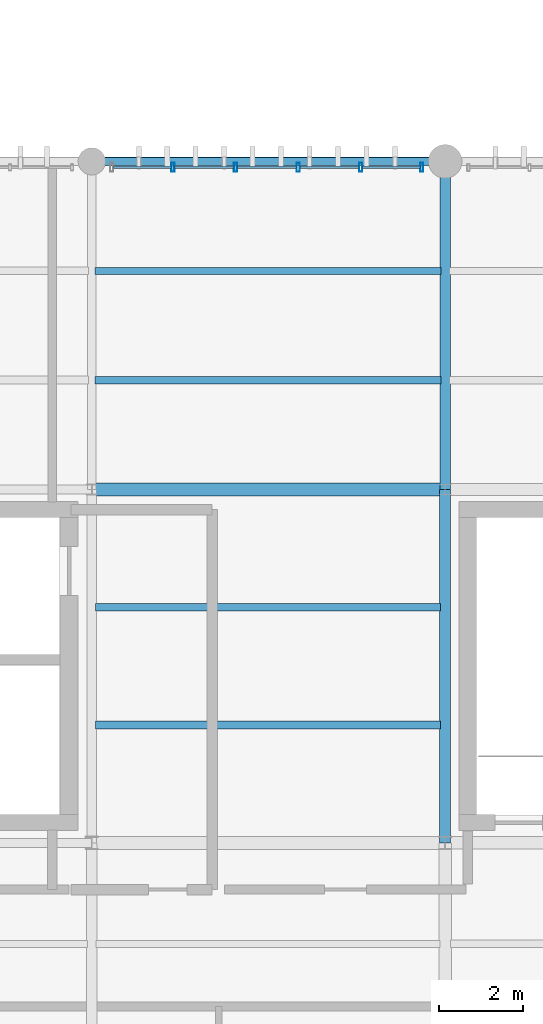
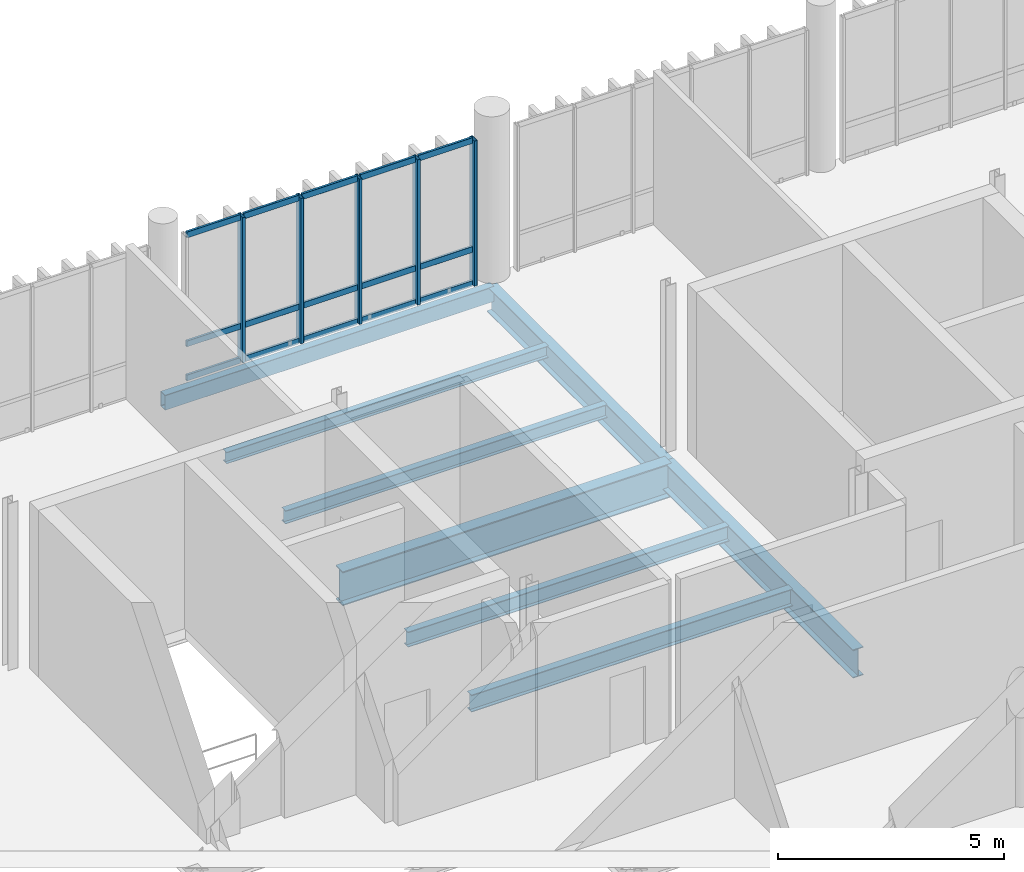
# One storey, part 13 of 66: 20 members, 8 beams, 1 element without a shape of its own.
"""IFC4 building model written with IfcOpenShell, lengths in metres."""

from ifc_helpers import new_model, si_unit, direction, frame, origin_with_axes, origin_2d_with_axis, place, context, subcontext, project, spatial, hollow_rectangle, i_section, extrude, material, material_profile, profile_set, type_object, element, aggregate, save


model = new_model("IFC4")

# Units and contexts
model_context = context("Model", 3, precision=1e-05, world=origin_with_axes(), true_north=direction((0.0, 1.0)))
body_context = subcontext(model_context, "Body", "Model", "MODEL_VIEW")
ifc_project = project(units=[si_unit("LENGTHUNIT", "METRE"), si_unit("AREAUNIT", "SQUARE_METRE"), si_unit("VOLUMEUNIT", "CUBIC_METRE"), si_unit("PLANEANGLEUNIT", "RADIAN"), si_unit("MASSUNIT", "GRAM", prefix="KILO"), si_unit("THERMODYNAMICTEMPERATUREUNIT", "KELVIN")], contexts=[model_context])

# Site, building, storey
site_placement = place(None, origin_with_axes())
site = spatial("IfcSite", under=ifc_project, at=site_placement, CompositionType="ELEMENT")
building_placement = place(site_placement, origin_with_axes())
building = spatial("IfcBuilding", under=site, at=building_placement, Name="Montbau Bow Law Courts", CompositionType="ELEMENT")
storey_placement = place(building_placement, frame((0.0, 0.0, 34.5), z_axis=(0.0, 0.0, 1.0), x_axis=(1.0, 0.0, 0.0)))
storey = spatial("IfcBuildingStorey", under=building, at=storey_placement, Name="L07", CompositionType="ELEMENT", Elevation=34.5)

# Beams
ifc_material_1 = material(Name="Steel CSA G40.21 Grade 350W (350 MPa)", Category="steel")
ifc_material_profile_1 = material_profile(ifc_material_1, i_section(OverallWidth=0.306, OverallDepth=0.919, WebThickness=0.0173, FlangeThickness=0.0279, at=origin_2d_with_axis()), Name="W920X253", Category="Main", Priority=0)
ifc_profile_set_1 = profile_set([ifc_material_profile_1], Name="Steel CSA G40.21 Grade 350W (350 MPa)")
beam_type_1 = type_object("IfcBeamType", Name="B-FLR-01", PredefinedType="BEAM", material=ifc_profile_set_1)
beam_1_placement = place(None, frame((22.2, 54.6, 33.741), z_axis=(1.0, 0.0, 0.0), x_axis=(0.0, 1.0, 0.0)))
element("IfcBeam", 1, at=beam_1_placement, inside=storey, type_object=beam_type_1, Name="BM-L07-S0730:bm2_0733", PredefinedType="BEAM", context=body_context, shape_type="SweptSolid", body=[
    extrude(i_section(OverallWidth=0.306, OverallDepth=0.919, WebThickness=0.0173, FlangeThickness=0.0279, at=origin_2d_with_axis()), origin_with_axes(), (0.0, 0.0, 1.0), 8.4),
])
ifc_material_profile_2 = material_profile(ifc_material_1, i_section(OverallWidth=0.267, OverallDepth=0.766, WebThickness=0.0149, FlangeThickness=0.0236, at=origin_2d_with_axis()), Name="W760X185", Category="Main", Priority=0)
ifc_profile_set_2 = profile_set([ifc_material_profile_2], Name="Steel CSA G40.21 Grade 350W (350 MPa)")
beam_type_2 = type_object("IfcBeamType", Name="B-FLR-03", PredefinedType="BEAM", material=ifc_profile_set_2)
beam_2_placement = place(None, frame((30.6, 46.2, 33.817), z_axis=(0.0, 1.0, 0.0), x_axis=(-1.0, 0.0, 0.0)))
element("IfcBeam", 2, at=beam_2_placement, inside=storey, type_object=beam_type_2, Name="BM-L07-S0750:bm2_0753", PredefinedType="BEAM", context=body_context, shape_type="SweptSolid", body=[
    extrude(i_section(OverallWidth=0.267, OverallDepth=0.766, WebThickness=0.0149, FlangeThickness=0.0236, at=origin_2d_with_axis()), origin_with_axes(), (0.0, 0.0, 1.0), 8.4),
])
ifc_material_profile_3 = material_profile(ifc_material_1, i_section(OverallWidth=0.254, OverallDepth=0.688, WebThickness=0.0131, FlangeThickness=0.0211, at=origin_2d_with_axis()), Name="W690X152", Category="Main", Priority=0)
ifc_profile_set_3 = profile_set([ifc_material_profile_3], Name="Steel CSA G40.21 Grade 350W (350 MPa)")
beam_type_3 = type_object("IfcBeamType", Name="B-FLR-04", PredefinedType="BEAM", material=ifc_profile_set_3)
beam_3_placement = place(None, frame((30.6, 54.6, 33.856), z_axis=(0.0, 1.0, 0.0), x_axis=(-1.0, 0.0, 0.0)))
element("IfcBeam", 3, at=beam_3_placement, inside=storey, type_object=beam_type_3, Name="BM-L07-S0751:bm2_0754", PredefinedType="BEAM", context=body_context, shape_type="SweptSolid", body=[
    extrude(i_section(OverallWidth=0.254, OverallDepth=0.688, WebThickness=0.0131, FlangeThickness=0.0211, at=origin_2d_with_axis()), origin_with_axes(), (0.0, 0.0, 1.0), 7.8),
])
ifc_material_profile_4 = material_profile(ifc_material_1, i_section(OverallWidth=0.191, OverallDepth=0.46, WebThickness=0.0099, FlangeThickness=0.016, at=origin_2d_with_axis()), Name="W460X82", Category="Main", Priority=0)
ifc_profile_set_4 = profile_set([ifc_material_profile_4], Name="Steel CSA G40.21 Grade 350W (350 MPa)")
beam_type_4 = type_object("IfcBeamType", Name="B-JST-01", PredefinedType="JOIST", material=ifc_profile_set_4)
beam_4_placement = place(None, frame((22.29, 49.0, 33.97), z_axis=(1.0, 0.0, 0.0), x_axis=(0.0, 1.0, 0.0)))
element("IfcBeam", 4, at=beam_4_placement, inside=storey, type_object=beam_type_4, Name="JST-L07-S0372:jst2_0372", PredefinedType="JOIST", context=body_context, shape_type="SweptSolid", body=[
    extrude(i_section(OverallWidth=0.191, OverallDepth=0.46, WebThickness=0.0099, FlangeThickness=0.016, at=origin_2d_with_axis()), origin_with_axes(), (0.0, 0.0, 1.0), 8.201),
])
ifc_material_profile_5 = material_profile(ifc_material_1, i_section(OverallWidth=0.179, OverallDepth=0.41, WebThickness=0.0088, FlangeThickness=0.0144, at=origin_2d_with_axis()), Name="W410X67", Category="Main", Priority=0)
ifc_profile_set_5 = profile_set([ifc_material_profile_5], Name="Steel CSA G40.21 Grade 350W (350 MPa)")
beam_type_5 = type_object("IfcBeamType", Name="B-JST-02", PredefinedType="JOIST", material=ifc_profile_set_5)
beam_5_placement = place(None, frame((22.29, 51.8, 33.995), z_axis=(1.0, 0.0, 0.0), x_axis=(0.0, 1.0, 0.0)))
element("IfcBeam", 5, at=beam_5_placement, inside=storey, type_object=beam_type_5, Name="JST-L07-S0373:jst2_0373", PredefinedType="JOIST", context=body_context, shape_type="SweptSolid", body=[
    extrude(i_section(OverallWidth=0.179, OverallDepth=0.41, WebThickness=0.0088, FlangeThickness=0.0144, at=origin_2d_with_axis()), origin_with_axes(), (0.0, 0.0, 1.0), 8.201),
])
ifc_material_profile_6 = material_profile(ifc_material_1, i_section(OverallWidth=0.172, OverallDepth=0.358, WebThickness=0.0079, FlangeThickness=0.0131, at=origin_2d_with_axis()), Name="W360X57", Category="Main", Priority=0)
ifc_profile_set_6 = profile_set([ifc_material_profile_6], Name="Steel CSA G40.21 Grade 350W (350 MPa)")
beam_type_6 = type_object("IfcBeamType", Name="B-JST-03", PredefinedType="JOIST", material=ifc_profile_set_6)
beam_6_placement = place(None, frame((22.281, 57.2, 34.021), z_axis=(1.0, 0.0, 0.0), x_axis=(0.0, 1.0, 0.0)))
element("IfcBeam", 6, at=beam_6_placement, inside=storey, type_object=beam_type_6, Name="JST-L07-S0374:jst2_0374", PredefinedType="JOIST", context=body_context, shape_type="SweptSolid", body=[
    extrude(i_section(OverallWidth=0.172, OverallDepth=0.358, WebThickness=0.0079, FlangeThickness=0.0131, at=origin_2d_with_axis()), origin_with_axes(), (0.0, 0.0, 1.0), 8.216),
])
ifc_material_profile_7 = material_profile(ifc_material_1, i_section(OverallWidth=0.166, OverallDepth=0.313, WebThickness=0.0066, FlangeThickness=0.0112, at=origin_2d_with_axis()), Name="W310X45", Category="Main", Priority=0)
ifc_profile_set_7 = profile_set([ifc_material_profile_7], Name="Steel CSA G40.21 Grade 350W (350 MPa)")
beam_type_7 = type_object("IfcBeamType", Name="B-JST-04", PredefinedType="JOIST", material=ifc_profile_set_7)
beam_7_placement = place(None, frame((22.281, 59.8, 34.044), z_axis=(1.0, 0.0, 0.0), x_axis=(0.0, 1.0, 0.0)))
element("IfcBeam", 7, at=beam_7_placement, inside=storey, type_object=beam_type_7, Name="JST-L07-S0375:jst2_0375", PredefinedType="JOIST", context=body_context, shape_type="SweptSolid", body=[
    extrude(i_section(OverallWidth=0.166, OverallDepth=0.313, WebThickness=0.0066, FlangeThickness=0.0112, at=origin_2d_with_axis()), origin_with_axes(), (0.0, 0.0, 1.0), 8.216),
])
ifc_material_2 = material(Name="Steel CSA G40.21 Grade 350WT (350 MPa)", Category="steel")
ifc_material_profile_8 = material_profile(ifc_material_2, hollow_rectangle(XDim=0.203, YDim=0.406, WallThickness=0.0127, InnerFilletRadius=0.0254, OuterFilletRadius=0.0127, at=origin_2d_with_axis()), Name="HSS406X203X13", Category="Main", Priority=0)
ifc_profile_set_8 = profile_set([ifc_material_profile_8], Name="Steel CSA G40.21 Grade 350WT (350 MPa)")
beam_type_8 = type_object("IfcBeamType", Name="B-SPN-01", PredefinedType="SPANDREL", material=ifc_profile_set_8)
beam_8_placement = place(None, frame((22.2, 62.4, 33.997), z_axis=(1.0, 0.0, 0.0), x_axis=(0.0, 1.0, 0.0)))
element("IfcBeam", 8, at=beam_8_placement, inside=storey, type_object=beam_type_8, Name="SPN-L07-S0735:bm2_0738", PredefinedType="SPANDREL", context=body_context, shape_type="SweptSolid", body=[
    extrude(hollow_rectangle(XDim=0.203, YDim=0.406, WallThickness=0.0127, InnerFilletRadius=0.0254, OuterFilletRadius=0.0127, at=origin_2d_with_axis()), origin_with_axes(), (0.0, 0.0, 1.0), 8.4),
])

# Curtain wall, members
ifc_material_3 = material(Name="Thermally Broken Extruded Aluminium AA 6063-T6", Category="aluminium")
curtain_wall_type = type_object("IfcCurtainWallType", Name="CW-TRC-02", PredefinedType="NOTDEFINED", material=ifc_material_3)
curtain_wall_placement = place(None, frame((22.64, 62.26, 34.5), z_axis=(0.0, 0.0, 1.0), x_axis=(1.0, 0.0, 0.0)))
curtain_wall = element("IfcCurtainWall", 9, at=curtain_wall_placement, inside=storey, type_object=curtain_wall_type, Name="CW-L07-114:cw_0114", PredefinedType="NOTDEFINED")
ifc_material_profile_9 = material_profile(ifc_material_3, hollow_rectangle(XDim=0.075, YDim=0.22, WallThickness=0.005, InnerFilletRadius=0.01, OuterFilletRadius=0.005, at=origin_2d_with_axis()), Name="CWM-220X75", Category="Main", Priority=0)
ifc_profile_set_9 = profile_set([ifc_material_profile_9], Name="Thermally Broken Extruded Aluminium AA 6063-T6")
member_type_1 = type_object("IfcMemberType", Name="M-MUL-01", PredefinedType="MULLION", material=ifc_profile_set_9)
member_1_placement = place(None, frame((24.129, 62.26, 34.5), z_axis=(0.0, 0.0, 1.0), x_axis=(1.0, 0.0, 0.0)))
member_1 = element("IfcMember", 10, at=member_1_placement, type_object=member_type_1, Name="CW-L07-114-M02:cw_0114_M02", PredefinedType="MULLION", context=body_context, shape_type="SweptSolid", body=[
    extrude(hollow_rectangle(XDim=0.075, YDim=0.22, WallThickness=0.005, InnerFilletRadius=0.01, OuterFilletRadius=0.005, at=origin_2d_with_axis()), origin_with_axes(), (0.0, 0.0, 1.0), 3.92),
])
member_2_placement = place(None, frame((25.618, 62.26, 34.5), z_axis=(0.0, 0.0, 1.0), x_axis=(1.0, 0.0, 0.0)))
member_2 = element("IfcMember", 11, at=member_2_placement, type_object=member_type_1, Name="CW-L07-114-M03:cw_0114_M03", PredefinedType="MULLION", context=body_context, shape_type="SweptSolid", body=[
    extrude(hollow_rectangle(XDim=0.075, YDim=0.22, WallThickness=0.005, InnerFilletRadius=0.01, OuterFilletRadius=0.005, at=origin_2d_with_axis()), origin_with_axes(), (0.0, 0.0, 1.0), 3.92),
])
member_3_placement = place(None, frame((27.107, 62.26, 34.5), z_axis=(0.0, 0.0, 1.0), x_axis=(1.0, 0.0, 0.0)))
member_3 = element("IfcMember", 12, at=member_3_placement, type_object=member_type_1, Name="CW-L07-114-M04:cw_0114_M04", PredefinedType="MULLION", context=body_context, shape_type="SweptSolid", body=[
    extrude(hollow_rectangle(XDim=0.075, YDim=0.22, WallThickness=0.005, InnerFilletRadius=0.01, OuterFilletRadius=0.005, at=origin_2d_with_axis()), origin_with_axes(), (0.0, 0.0, 1.0), 3.92),
])
member_4_placement = place(None, frame((28.596, 62.26, 34.5), z_axis=(0.0, 0.0, 1.0), x_axis=(1.0, 0.0, 0.0)))
member_4 = element("IfcMember", 13, at=member_4_placement, type_object=member_type_1, Name="CW-L07-114-M05:cw_0114_M05", PredefinedType="MULLION", context=body_context, shape_type="SweptSolid", body=[
    extrude(hollow_rectangle(XDim=0.075, YDim=0.22, WallThickness=0.005, InnerFilletRadius=0.01, OuterFilletRadius=0.005, at=origin_2d_with_axis()), origin_with_axes(), (0.0, 0.0, 1.0), 3.92),
])
member_5_placement = place(None, frame((30.048, 62.26, 34.5), z_axis=(0.0, 0.0, 1.0), x_axis=(1.0, 0.0, 0.0)))
member_5 = element("IfcMember", 14, at=member_5_placement, type_object=member_type_1, Name="CW-L07-114-M06:cw_0114_M06", PredefinedType="MULLION", context=body_context, shape_type="SweptSolid", body=[
    extrude(hollow_rectangle(XDim=0.075, YDim=0.22, WallThickness=0.005, InnerFilletRadius=0.01, OuterFilletRadius=0.005, at=origin_2d_with_axis()), origin_with_axes(), (0.0, 0.0, 1.0), 3.92),
])
ifc_material_profile_10 = material_profile(ifc_material_3, hollow_rectangle(XDim=0.06, YDim=0.16, WallThickness=0.004, InnerFilletRadius=0.008, OuterFilletRadius=0.004, at=origin_2d_with_axis()), Name="CWT-160X60", Category="Main", Priority=0)
ifc_profile_set_10 = profile_set([ifc_material_profile_10], Name="Thermally Broken Extruded Aluminium AA 6063-T6")
member_type_2 = type_object("IfcMemberType", Name="M-TRN-01", PredefinedType="USERDEFINED", material=ifc_profile_set_10)
member_6_placement = place(None, frame((22.716, 62.26, 34.53), z_axis=(1.0, 0.0, 0.0), x_axis=(0.0, 1.0, 0.0)))
member_6 = element("IfcMember", 15, at=member_6_placement, type_object=member_type_2, Name="CW-L07-114-T01-1:cw_0114_T01_1", ObjectType="TRANSOM", PredefinedType="USERDEFINED", context=body_context, shape_type="SweptSolid", body=[
    extrude(hollow_rectangle(XDim=0.06, YDim=0.16, WallThickness=0.004, InnerFilletRadius=0.008, OuterFilletRadius=0.004, at=origin_2d_with_axis()), origin_with_axes(), (0.0, 0.0, 1.0), 1.374),
])
member_7_placement = place(None, frame((22.716, 62.26, 35.45), z_axis=(1.0, 0.0, 0.0), x_axis=(0.0, 1.0, 0.0)))
member_7 = element("IfcMember", 16, at=member_7_placement, type_object=member_type_2, Name="CW-L07-114-T01-2:cw_0114_T01_2", ObjectType="TRANSOM", PredefinedType="USERDEFINED", context=body_context, shape_type="SweptSolid", body=[
    extrude(hollow_rectangle(XDim=0.06, YDim=0.16, WallThickness=0.004, InnerFilletRadius=0.008, OuterFilletRadius=0.004, at=origin_2d_with_axis()), origin_with_axes(), (0.0, 0.0, 1.0), 1.374),
])
member_8_placement = place(None, frame((22.716, 62.26, 38.39), z_axis=(1.0, 0.0, 0.0), x_axis=(0.0, 1.0, 0.0)))
member_8 = element("IfcMember", 17, at=member_8_placement, type_object=member_type_2, Name="CW-L07-114-T01-3:cw_0114_T01_3", ObjectType="TRANSOM", PredefinedType="USERDEFINED", context=body_context, shape_type="SweptSolid", body=[
    extrude(hollow_rectangle(XDim=0.06, YDim=0.16, WallThickness=0.004, InnerFilletRadius=0.008, OuterFilletRadius=0.004, at=origin_2d_with_axis()), origin_with_axes(), (0.0, 0.0, 1.0), 1.374),
])
member_9_placement = place(None, frame((24.169, 62.26, 34.53), z_axis=(1.0, 0.0, 0.0), x_axis=(0.0, 1.0, 0.0)))
member_9 = element("IfcMember", 18, at=member_9_placement, type_object=member_type_2, Name="CW-L07-114-T02-1:cw_0114_T02_1", ObjectType="TRANSOM", PredefinedType="USERDEFINED", context=body_context, shape_type="SweptSolid", body=[
    extrude(hollow_rectangle(XDim=0.06, YDim=0.16, WallThickness=0.004, InnerFilletRadius=0.008, OuterFilletRadius=0.004, at=origin_2d_with_axis()), origin_with_axes(), (0.0, 0.0, 1.0), 1.41),
])
member_10_placement = place(None, frame((24.169, 62.26, 35.45), z_axis=(1.0, 0.0, 0.0), x_axis=(0.0, 1.0, 0.0)))
member_10 = element("IfcMember", 19, at=member_10_placement, type_object=member_type_2, Name="CW-L07-114-T02-2:cw_0114_T02_2", ObjectType="TRANSOM", PredefinedType="USERDEFINED", context=body_context, shape_type="SweptSolid", body=[
    extrude(hollow_rectangle(XDim=0.06, YDim=0.16, WallThickness=0.004, InnerFilletRadius=0.008, OuterFilletRadius=0.004, at=origin_2d_with_axis()), origin_with_axes(), (0.0, 0.0, 1.0), 1.41),
])
member_11_placement = place(None, frame((24.169, 62.26, 38.39), z_axis=(1.0, 0.0, 0.0), x_axis=(0.0, 1.0, 0.0)))
member_11 = element("IfcMember", 20, at=member_11_placement, type_object=member_type_2, Name="CW-L07-114-T02-3:cw_0114_T02_3", ObjectType="TRANSOM", PredefinedType="USERDEFINED", context=body_context, shape_type="SweptSolid", body=[
    extrude(hollow_rectangle(XDim=0.06, YDim=0.16, WallThickness=0.004, InnerFilletRadius=0.008, OuterFilletRadius=0.004, at=origin_2d_with_axis()), origin_with_axes(), (0.0, 0.0, 1.0), 1.41),
])
member_12_placement = place(None, frame((25.658, 62.26, 34.53), z_axis=(1.0, 0.0, 0.0), x_axis=(0.0, 1.0, 0.0)))
member_12 = element("IfcMember", 21, at=member_12_placement, type_object=member_type_2, Name="CW-L07-114-T03-1:cw_0114_T03_1", ObjectType="TRANSOM", PredefinedType="USERDEFINED", context=body_context, shape_type="SweptSolid", body=[
    extrude(hollow_rectangle(XDim=0.06, YDim=0.16, WallThickness=0.004, InnerFilletRadius=0.008, OuterFilletRadius=0.004, at=origin_2d_with_axis()), origin_with_axes(), (0.0, 0.0, 1.0), 1.41),
])
member_13_placement = place(None, frame((25.658, 62.26, 35.45), z_axis=(1.0, 0.0, 0.0), x_axis=(0.0, 1.0, 0.0)))
member_13 = element("IfcMember", 22, at=member_13_placement, type_object=member_type_2, Name="CW-L07-114-T03-2:cw_0114_T03_2", ObjectType="TRANSOM", PredefinedType="USERDEFINED", context=body_context, shape_type="SweptSolid", body=[
    extrude(hollow_rectangle(XDim=0.06, YDim=0.16, WallThickness=0.004, InnerFilletRadius=0.008, OuterFilletRadius=0.004, at=origin_2d_with_axis()), origin_with_axes(), (0.0, 0.0, 1.0), 1.41),
])
member_14_placement = place(None, frame((25.658, 62.26, 38.39), z_axis=(1.0, 0.0, 0.0), x_axis=(0.0, 1.0, 0.0)))
member_14 = element("IfcMember", 23, at=member_14_placement, type_object=member_type_2, Name="CW-L07-114-T03-3:cw_0114_T03_3", ObjectType="TRANSOM", PredefinedType="USERDEFINED", context=body_context, shape_type="SweptSolid", body=[
    extrude(hollow_rectangle(XDim=0.06, YDim=0.16, WallThickness=0.004, InnerFilletRadius=0.008, OuterFilletRadius=0.004, at=origin_2d_with_axis()), origin_with_axes(), (0.0, 0.0, 1.0), 1.41),
])
member_15_placement = place(None, frame((27.146, 62.26, 34.53), z_axis=(1.0, 0.0, 0.0), x_axis=(0.0, 1.0, 0.0)))
member_15 = element("IfcMember", 24, at=member_15_placement, type_object=member_type_2, Name="CW-L07-114-T04-1:cw_0114_T04_1", ObjectType="TRANSOM", PredefinedType="USERDEFINED", context=body_context, shape_type="SweptSolid", body=[
    extrude(hollow_rectangle(XDim=0.06, YDim=0.16, WallThickness=0.004, InnerFilletRadius=0.008, OuterFilletRadius=0.004, at=origin_2d_with_axis()), origin_with_axes(), (0.0, 0.0, 1.0), 1.411),
])
member_16_placement = place(None, frame((27.146, 62.26, 35.45), z_axis=(1.0, 0.0, 0.0), x_axis=(0.0, 1.0, 0.0)))
member_16 = element("IfcMember", 25, at=member_16_placement, type_object=member_type_2, Name="CW-L07-114-T04-2:cw_0114_T04_2", ObjectType="TRANSOM", PredefinedType="USERDEFINED", context=body_context, shape_type="SweptSolid", body=[
    extrude(hollow_rectangle(XDim=0.06, YDim=0.16, WallThickness=0.004, InnerFilletRadius=0.008, OuterFilletRadius=0.004, at=origin_2d_with_axis()), origin_with_axes(), (0.0, 0.0, 1.0), 1.411),
])
member_17_placement = place(None, frame((27.146, 62.26, 38.39), z_axis=(1.0, 0.0, 0.0), x_axis=(0.0, 1.0, 0.0)))
member_17 = element("IfcMember", 26, at=member_17_placement, type_object=member_type_2, Name="CW-L07-114-T04-3:cw_0114_T04_3", ObjectType="TRANSOM", PredefinedType="USERDEFINED", context=body_context, shape_type="SweptSolid", body=[
    extrude(hollow_rectangle(XDim=0.06, YDim=0.16, WallThickness=0.004, InnerFilletRadius=0.008, OuterFilletRadius=0.004, at=origin_2d_with_axis()), origin_with_axes(), (0.0, 0.0, 1.0), 1.411),
])
member_18_placement = place(None, frame((28.635, 62.26, 34.53), z_axis=(1.0, 0.0, 0.0), x_axis=(0.0, 1.0, 0.0)))
member_18 = element("IfcMember", 27, at=member_18_placement, type_object=member_type_2, Name="CW-L07-114-T05-1:cw_0114_T05_1", ObjectType="TRANSOM", PredefinedType="USERDEFINED", context=body_context, shape_type="SweptSolid", body=[
    extrude(hollow_rectangle(XDim=0.06, YDim=0.16, WallThickness=0.004, InnerFilletRadius=0.008, OuterFilletRadius=0.004, at=origin_2d_with_axis()), origin_with_axes(), (0.0, 0.0, 1.0), 1.374),
])
member_19_placement = place(None, frame((28.635, 62.26, 35.45), z_axis=(1.0, 0.0, 0.0), x_axis=(0.0, 1.0, 0.0)))
member_19 = element("IfcMember", 28, at=member_19_placement, type_object=member_type_2, Name="CW-L07-114-T05-2:cw_0114_T05_2", ObjectType="TRANSOM", PredefinedType="USERDEFINED", context=body_context, shape_type="SweptSolid", body=[
    extrude(hollow_rectangle(XDim=0.06, YDim=0.16, WallThickness=0.004, InnerFilletRadius=0.008, OuterFilletRadius=0.004, at=origin_2d_with_axis()), origin_with_axes(), (0.0, 0.0, 1.0), 1.374),
])
member_20_placement = place(None, frame((28.635, 62.26, 38.39), z_axis=(1.0, 0.0, 0.0), x_axis=(0.0, 1.0, 0.0)))
member_20 = element("IfcMember", 29, at=member_20_placement, type_object=member_type_2, Name="CW-L07-114-T05-3:cw_0114_T05_3", ObjectType="TRANSOM", PredefinedType="USERDEFINED", context=body_context, shape_type="SweptSolid", body=[
    extrude(hollow_rectangle(XDim=0.06, YDim=0.16, WallThickness=0.004, InnerFilletRadius=0.008, OuterFilletRadius=0.004, at=origin_2d_with_axis()), origin_with_axes(), (0.0, 0.0, 1.0), 1.374),
])
aggregate(curtain_wall, [member_1, member_2, member_3, member_4, member_5, member_6, member_7, member_8, member_9, member_10, member_11, member_12, member_13, member_14, member_15, member_16, member_17, member_18, member_19, member_20])

save(model, "model.ifc")
